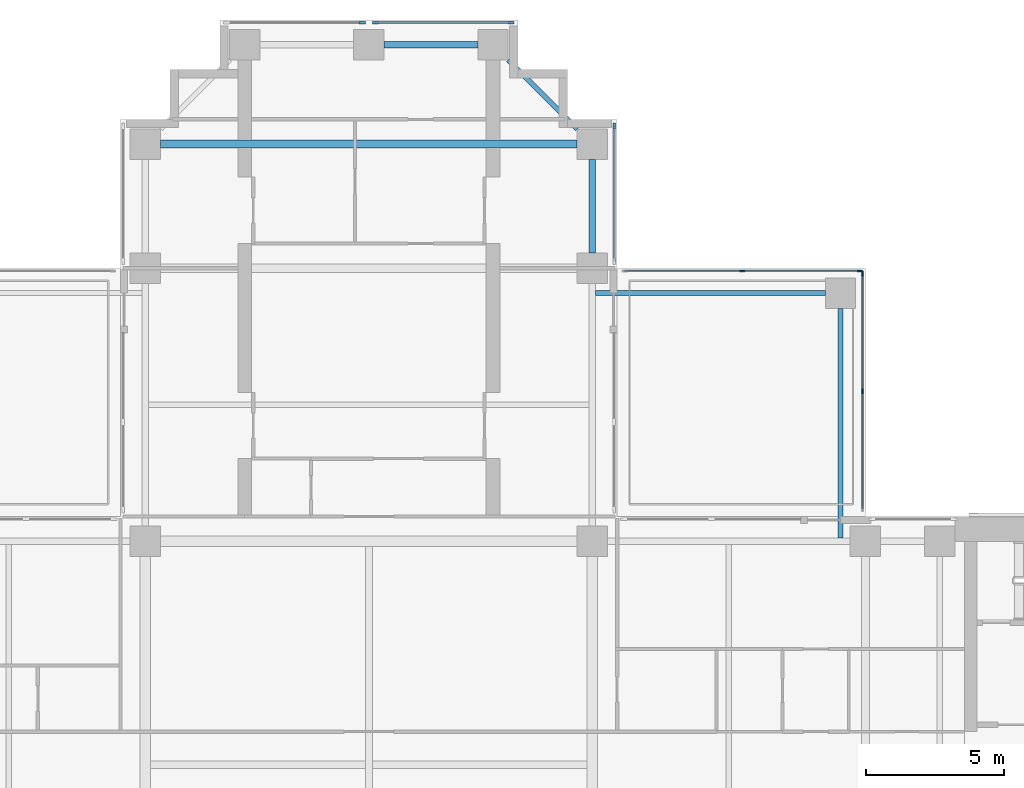
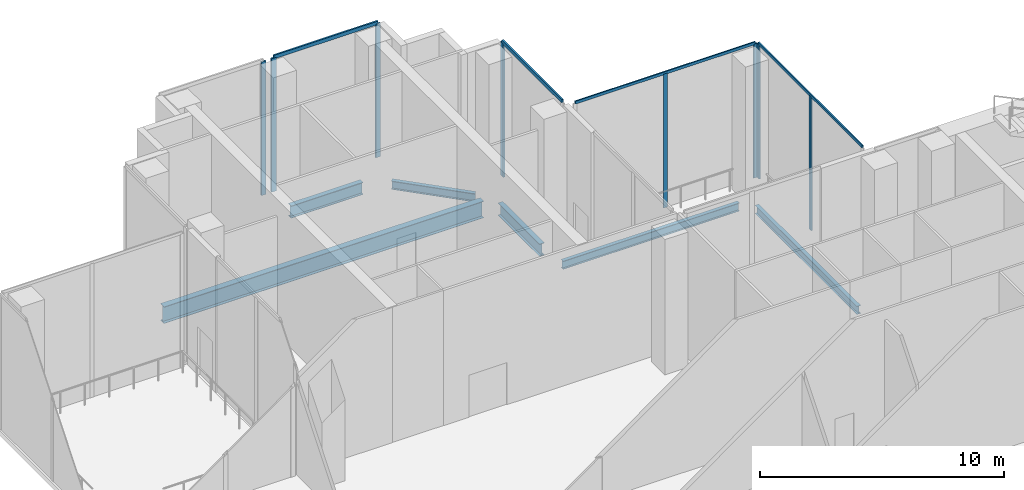
# One storey, part 6 of 17: 12 members, 6 beams, 5 elements without a shape of their own.
"""IFC4 building model written with IfcOpenShell, lengths in metres."""

from ifc_helpers import new_model, si_unit, direction, frame, origin, origin_2d, place, context, subcontext, project, spatial, rectangle, i_section, extrude, material, material_profile, profile_set, type_object, element, aggregate, save


model = new_model("IFC4")

# Units and contexts
model_context = context("Model", 3, precision=1e-05, world=origin(), true_north=direction((0.0, 1.0)))
body_context = subcontext(model_context, "Body", "Model", "MODEL_VIEW")
ifc_project = project(units=[si_unit("LENGTHUNIT", "METRE"), si_unit("AREAUNIT", "SQUARE_METRE"), si_unit("VOLUMEUNIT", "CUBIC_METRE"), si_unit("PLANEANGLEUNIT", "RADIAN"), si_unit("MASSUNIT", "GRAM", prefix="KILO")], contexts=[model_context])

# Site, building, storey
site_placement = place(None, origin())
site = spatial("IfcSite", under=ifc_project, at=site_placement, CompositionType="ELEMENT")
building_placement = place(site_placement, origin())
building = spatial("IfcBuilding", under=site, at=building_placement, Name="Perihelion Cross Residences", CompositionType="ELEMENT")
storey_placement = place(building_placement, frame((0.0, 0.0, 154.89990234375)))
storey = spatial("IfcBuildingStorey", under=building, at=storey_placement, Name="L38", CompositionType="ELEMENT", Elevation=154.89990234375)

# Curtain wall, member
ifc_material_1 = material(Name="Bronze anodised aluminium, tinted glazing", Category="aluminium")
curtain_wall_type_1 = type_object("IfcCurtainWallType", Name="CW3", PredefinedType="NOTDEFINED", material=ifc_material_1)
curtain_wall_1_placement = place(storey_placement, origin())
curtain_wall_1 = element("IfcCurtainWall", 1, at=curtain_wall_1_placement, inside=storey, type_object=curtain_wall_type_1, Name="Curtain wall CW3 L38 north side east bay 2", PredefinedType="NOTDEFINED")
ifc_material_2 = material(Name="Bronze anodised aluminium", Category="aluminium")
ifc_material_profile_1 = material_profile(ifc_material_2, rectangle(XDim=0.080078125, YDim=0.219970703125, at=origin_2d()), Name="CW3 mullion")
ifc_profile_set_1 = profile_set([ifc_material_profile_1], Name="Bronze anodised aluminium")
member_type_1 = type_object("IfcMemberType", Name="CW3 mullion", PredefinedType="MULLION", material=ifc_profile_set_1)
member_1_placement = place(storey_placement, frame((8.89990234375, 23.159912109375, 0.0), z_axis=(0.0, 0.0, 1.0), x_axis=(-1.0, 0.0, 0.0)))
member_1 = element("IfcMember", 2, at=member_1_placement, type_object=member_type_1, Name="CW3 mullion 2", PredefinedType="MULLION", context=body_context, shape_type="SweptSolid", body=[
    extrude(rectangle(XDim=0.080078125, YDim=0.219970703125, at=origin_2d()), origin(), (0.0, 0.0, 1.0), 6.670166015625),
])

# Curtain wall, members
curtain_wall_2_placement = place(storey_placement, origin())
curtain_wall_2 = element("IfcCurtainWall", 3, at=curtain_wall_2_placement, inside=storey, type_object=curtain_wall_type_1, Name="Curtain wall CW3 L38 north tip north bay 1", PredefinedType="NOTDEFINED")
member_2_placement = place(storey_placement, frame((5.159912109375, 26.89990234375, 0.0), z_axis=(0.0, 0.0, 1.0), x_axis=(0.0, -1.0, 0.0)))
member_2 = element("IfcMember", 4, at=member_2_placement, type_object=member_type_1, Name="CW3 mullion 1", PredefinedType="MULLION", context=body_context, shape_type="SweptSolid", body=[
    extrude(rectangle(XDim=0.080078125, YDim=0.219970703125, at=origin_2d()), origin(), (0.0, 0.0, 1.0), 6.670166015625),
])
member_3_placement = place(storey_placement, frame((0.239990234375, 26.89990234375, 0.0), z_axis=(0.0, 0.0, 1.0), x_axis=(0.0, -1.0, 0.0)))
member_3 = element("IfcMember", 5, at=member_3_placement, type_object=member_type_1, Name="CW3 mullion 2", PredefinedType="MULLION", context=body_context, shape_type="SweptSolid", body=[
    extrude(rectangle(XDim=0.080078125, YDim=0.219970703125, at=origin_2d()), origin(), (0.0, 0.0, 1.0), 6.670166015625),
])

# Curtain wall, member
curtain_wall_3_placement = place(storey_placement, origin())
curtain_wall_3 = element("IfcCurtainWall", 6, at=curtain_wall_3_placement, inside=storey, type_object=curtain_wall_type_1, Name="Curtain wall CW3 L38 north tip north bay 2", PredefinedType="NOTDEFINED")
member_4_placement = place(storey_placement, frame((-0.239990234375, 26.89990234375, 0.0), z_axis=(0.0, 0.0, 1.0), x_axis=(0.0, -1.0, 0.0)))
member_4 = element("IfcMember", 7, at=member_4_placement, type_object=member_type_1, Name="CW3 mullion 1", PredefinedType="MULLION", context=body_context, shape_type="SweptSolid", body=[
    extrude(rectangle(XDim=0.080078125, YDim=0.219970703125, at=origin_2d()), origin(), (0.0, 0.0, 1.0), 6.670166015625),
])
aggregate(curtain_wall_3, [member_4])

# Member
ifc_material_3 = material(Name="Bronze anodised aluminium", Category="aluminium")
ifc_material_profile_2 = material_profile(ifc_material_3, rectangle(XDim=0.080078125, YDim=0.179931640625, at=origin_2d()), Name="CW3 transom")
ifc_profile_set_2 = profile_set([ifc_material_profile_2], Name="Bronze anodised aluminium")
member_type_2 = type_object("IfcMemberType", Name="CW3 transom", PredefinedType="USERDEFINED", material=ifc_profile_set_2)
member_5_placement = place(storey_placement, frame((8.89990234375, 18.239990234375, 6.710205078125), z_axis=(0.0, 1.0, 0.0), x_axis=(-1.0, 0.0, 0.0)))
member_5 = element("IfcMember", 8, at=member_5_placement, type_object=member_type_2, Name="CW3 head transom", ObjectType="TRANSOM", PredefinedType="USERDEFINED", context=body_context, shape_type="SweptSolid", body=[
    extrude(rectangle(XDim=0.080078125, YDim=0.179931640625, at=origin_2d()), origin(), (0.0, 0.0, 1.0), 4.919921875),
])

aggregate(curtain_wall_1, [member_1, member_5])

member_6_placement = place(storey_placement, frame((5.159912109375, 26.89990234375, 6.710205078125), z_axis=(-1.0, 0.0, 0.0), x_axis=(0.0, -1.0, 0.0)))
member_6 = element("IfcMember", 9, at=member_6_placement, type_object=member_type_2, Name="CW3 head transom", ObjectType="TRANSOM", PredefinedType="USERDEFINED", context=body_context, shape_type="SweptSolid", body=[
    extrude(rectangle(XDim=0.080078125, YDim=0.179931640625, at=origin_2d()), origin(), (0.0, 0.0, 1.0), 4.919921875),
])

aggregate(curtain_wall_2, [member_2, member_3, member_6])

# Curtain wall, members
ifc_material_4 = material(Name="Bronze anodised aluminium, tinted glazing", Category="aluminium")
curtain_wall_type_2 = type_object("IfcCurtainWallType", Name="CW4", PredefinedType="NOTDEFINED", material=ifc_material_4)
curtain_wall_4_placement = place(storey_placement, origin())
curtain_wall_4 = element("IfcCurtainWall", 10, at=curtain_wall_4_placement, inside=storey, type_object=curtain_wall_type_2, Name="Curtain wall CW4 L38 pocket north-east 1 1", PredefinedType="NOTDEFINED")
ifc_material_5 = material(Name="Bronze anodised aluminium", Category="aluminium")
ifc_material_profile_3 = material_profile(ifc_material_5, rectangle(XDim=0.06005859375, YDim=0.179931640625, at=origin_2d()), Name="CW4 mullion")
ifc_profile_set_3 = profile_set([ifc_material_profile_3], Name="Bronze anodised aluminium")
member_type_3 = type_object("IfcMemberType", Name="CW4 mullion", PredefinedType="MULLION", material=ifc_profile_set_3)
member_7_placement = place(storey_placement, frame((13.5400390625, 17.89990234375, 0.0), z_axis=(0.0, 0.0, 1.0), x_axis=(0.0, 1.0, 0.0)))
member_7 = element("IfcMember", 11, at=member_7_placement, type_object=member_type_3, Name="CW4 mullion 2", PredefinedType="MULLION", context=body_context, shape_type="SweptSolid", body=[
    extrude(rectangle(XDim=0.06005859375, YDim=0.179931640625, at=origin_2d()), origin(), (0.0, 0.0, 1.0), 6.690185546875),
])
member_8_placement = place(storey_placement, frame((17.800048828125, 17.89990234375, 0.0), z_axis=(0.0, 0.0, 1.0), x_axis=(0.0, 1.0, 0.0)))
member_8 = element("IfcMember", 12, at=member_8_placement, type_object=member_type_3, Name="CW4 mullion 3", PredefinedType="MULLION", context=body_context, shape_type="SweptSolid", body=[
    extrude(rectangle(XDim=0.06005859375, YDim=0.179931640625, at=origin_2d()), origin(), (0.0, 0.0, 1.0), 6.690185546875),
])

curtain_wall_5_placement = place(storey_placement, origin())
curtain_wall_5 = element("IfcCurtainWall", 13, at=curtain_wall_5_placement, inside=storey, type_object=curtain_wall_type_2, Name="Curtain wall CW4 L38 pocket north-east 1 2", PredefinedType="NOTDEFINED")
member_9_placement = place(storey_placement, frame((17.89990234375, 17.800048828125, 0.0), z_axis=(0.0, 0.0, 1.0), x_axis=(1.0, 0.0, 0.0)))
member_9 = element("IfcMember", 14, at=member_9_placement, type_object=member_type_3, Name="CW4 mullion 1", PredefinedType="MULLION", context=body_context, shape_type="SweptSolid", body=[
    extrude(rectangle(XDim=0.06005859375, YDim=0.179931640625, at=origin_2d()), origin(), (0.0, 0.0, 1.0), 6.690185546875),
])
member_10_placement = place(storey_placement, frame((17.89990234375, 13.5400390625, 0.0), z_axis=(0.0, 0.0, 1.0), x_axis=(1.0, 0.0, 0.0)))
member_10 = element("IfcMember", 15, at=member_10_placement, type_object=member_type_3, Name="CW4 mullion 2", PredefinedType="MULLION", context=body_context, shape_type="SweptSolid", body=[
    extrude(rectangle(XDim=0.06005859375, YDim=0.179931640625, at=origin_2d()), origin(), (0.0, 0.0, 1.0), 6.690185546875),
])

# Member
ifc_material_6 = material(Name="Bronze anodised aluminium", Category="aluminium")
ifc_material_profile_4 = material_profile(ifc_material_6, rectangle(XDim=0.06005859375, YDim=0.139892578125, at=origin_2d()), Name="CW4 transom")
ifc_profile_set_4 = profile_set([ifc_material_profile_4], Name="Bronze anodised aluminium")
member_type_4 = type_object("IfcMemberType", Name="CW4 transom", PredefinedType="USERDEFINED", material=ifc_profile_set_4)
member_11_placement = place(storey_placement, frame((9.280029296875, 17.89990234375, 6.72021484375), z_axis=(1.0, 0.0, 0.0), x_axis=(0.0, 1.0, 0.0)))
member_11 = element("IfcMember", 16, at=member_11_placement, type_object=member_type_4, Name="CW4 head transom", ObjectType="TRANSOM", PredefinedType="USERDEFINED", context=body_context, shape_type="SweptSolid", body=[
    extrude(rectangle(XDim=0.06005859375, YDim=0.139892578125, at=origin_2d()), origin(), (0.0, 0.0, 1.0), 8.52001953125),
])

aggregate(curtain_wall_4, [member_7, member_8, member_11])

member_12_placement = place(storey_placement, frame((17.89990234375, 17.800048828125, 6.72021484375), z_axis=(0.0, -1.0, 0.0), x_axis=(1.0, 0.0, 0.0)))
member_12 = element("IfcMember", 17, at=member_12_placement, type_object=member_type_4, Name="CW4 head transom", ObjectType="TRANSOM", PredefinedType="USERDEFINED", context=body_context, shape_type="SweptSolid", body=[
    extrude(rectangle(XDim=0.06005859375, YDim=0.139892578125, at=origin_2d()), origin(), (0.0, 0.0, 1.0), 8.52001953125),
])

aggregate(curtain_wall_5, [member_9, member_10, member_12])

# Beams
ifc_material_7 = material(Name="Steel S355", Category="steel")
ifc_material_profile_5 = material_profile(ifc_material_7, i_section(OverallWidth=0.177978515625, OverallDepth=0.406005859375, WebThickness=0.0078125, FlangeThickness=0.0126953125, at=origin_2d()), Name="W410x60")
ifc_profile_set_5 = profile_set([ifc_material_profile_5], Name="Steel S355")
beam_type_1 = type_object("IfcBeamType", Name="Core edge beam W410x60", PredefinedType="BEAM", material=ifc_profile_set_5)
for number, where, z_axis, x_axis, name in (
    (18, (17.10009765625, 8.214599609375, -0.5029296875), (0.0, 1.0, 0.0), (-1.0, 0.0, 0.0), "Core edge beam TB2 L38 corner no. 7"),
    (19, (8.214599609375, 17.10009765625, -0.5029296875), (1.0, 0.0, 0.0), (0.0, 1.0, 0.0), "Core edge beam TB2 L38 corner no. 8"),
):
    element("IfcBeam", number, at=place(storey_placement, frame(where, z_axis=z_axis, x_axis=x_axis)), inside=storey, type_object=beam_type_1, Name=name, PredefinedType="BEAM", context=body_context, shape_type="SweptSolid", body=[
        extrude(i_section(OverallWidth=0.177978515625, OverallDepth=0.406005859375, WebThickness=0.0078125, FlangeThickness=0.0126953125, at=origin_2d()), origin(), (0.0, 0.0, 1.0), 8.33544921875),
    ])
ifc_material_8 = material(Name="Steel S355", Category="steel")
ifc_material_profile_6 = material_profile(ifc_material_8, i_section(OverallWidth=0.22900390625, OverallDepth=0.612060546875, WebThickness=0.011962890625, FlangeThickness=0.01953125, at=origin_2d()), Name="W610x125")
ifc_profile_set_6 = profile_set([ifc_material_profile_6], Name="Steel S355")
beam_type_2 = type_object("IfcBeamType", Name="Edge beam W610x125", PredefinedType="SPANDREL", material=ifc_profile_set_6)
for number, where, z_axis, x_axis, name in (
    (20, (8.10009765625, 18.550048828125, -0.60595703125), (0.0, 1.0, 0.0), (-1.0, 0.0, 0.0), "Edge beam SB3 L38 no. 17"),
    (21, (3.949951171875, 26.10009765625, -0.60595703125), (-1.0, 0.0, 0.0), (0.0, -1.0, 0.0), "Edge beam SB3 L38 no. 14"),
):
    element("IfcBeam", number, at=place(storey_placement, frame(where, z_axis=z_axis, x_axis=x_axis)), inside=storey, type_object=beam_type_2, Name=name, PredefinedType="SPANDREL", context=body_context, shape_type="SweptSolid", body=[
        extrude(i_section(OverallWidth=0.22900390625, OverallDepth=0.612060546875, WebThickness=0.011962890625, FlangeThickness=0.01953125, at=origin_2d()), origin(), (0.0, 0.0, 1.0), 3.39990234375),
    ])
ifc_material_9 = material(Name="Steel S355", Category="steel")
ifc_material_profile_7 = material_profile(ifc_material_9, i_section(OverallWidth=0.2919921875, OverallDepth=0.8359375, WebThickness=0.013916015625, FlangeThickness=0.018798828125, at=origin_2d()), Name="W840x176")
ifc_profile_set_7 = profile_set([ifc_material_profile_7], Name="Steel S355")
beam_type_3 = type_object("IfcBeamType", Name="Floor girder W840x176", PredefinedType="BEAM", material=ifc_profile_set_7)
beam_1_placement = place(storey_placement, frame((-7.550048828125, 22.5, -0.718017578125), z_axis=(1.0, 0.0, 0.0), x_axis=(0.0, 1.0, 0.0)))
element("IfcBeam", 22, at=beam_1_placement, inside=storey, type_object=beam_type_3, Name="Girder G3 L38 no. 5", PredefinedType="BEAM", context=body_context, shape_type="SweptSolid", body=[
    extrude(i_section(OverallWidth=0.2919921875, OverallDepth=0.8359375, WebThickness=0.013916015625, FlangeThickness=0.018798828125, at=origin_2d()), origin(), (0.0, 0.0, 1.0), 15.10009765625),
])
ifc_material_10 = material(Name="Steel S355", Category="steel")
ifc_material_profile_8 = material_profile(ifc_material_10, i_section(OverallWidth=0.180908203125, OverallDepth=0.4169921875, WebThickness=0.010986328125, FlangeThickness=0.018310546875, at=origin_2d()), Name="W410x85")
ifc_profile_set_8 = profile_set([ifc_material_profile_8], Name="Steel S355")
beam_type_4 = type_object("IfcBeamType", Name="Serration edge beam W410x85", PredefinedType="BEAM", material=ifc_profile_set_8)
beam_2_placement = place(storey_placement, frame((7.550048828125, 23.050048828125, -0.50830078125), z_axis=(-0.707106781187, 0.707106781187, 0.0), x_axis=(-0.707106781187, -0.707106781187, 0.0)))
element("IfcBeam", 23, at=beam_2_placement, inside=storey, type_object=beam_type_4, Name="Serration edge beam EB3 L38 no. 4", PredefinedType="BEAM", context=body_context, shape_type="SweptSolid", body=[
    extrude(i_section(OverallWidth=0.180908203125, OverallDepth=0.4169921875, WebThickness=0.010986328125, FlangeThickness=0.018310546875, at=origin_2d()), origin(), (0.0, 0.0, 1.0), 3.53564453125),
])

save(model, "model.ifc")
